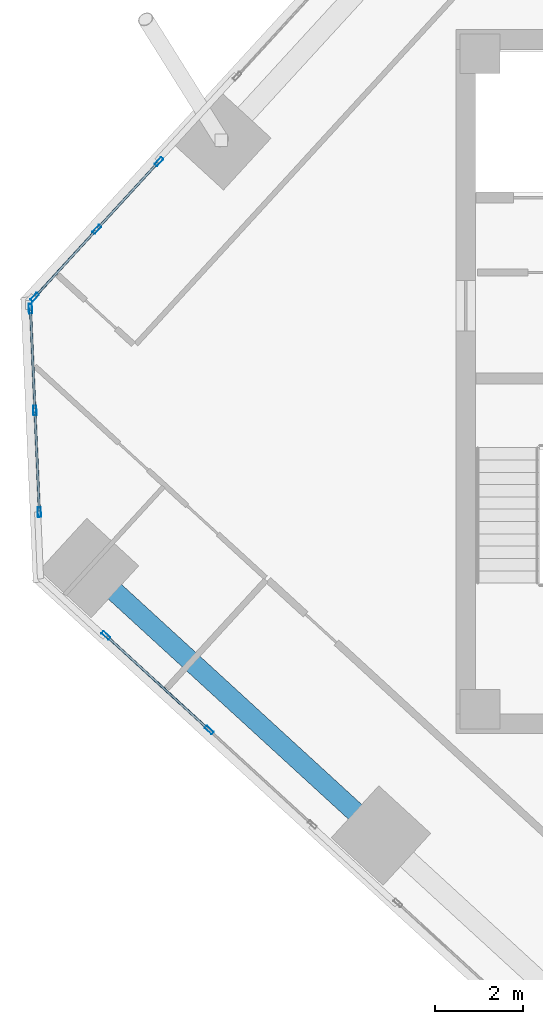
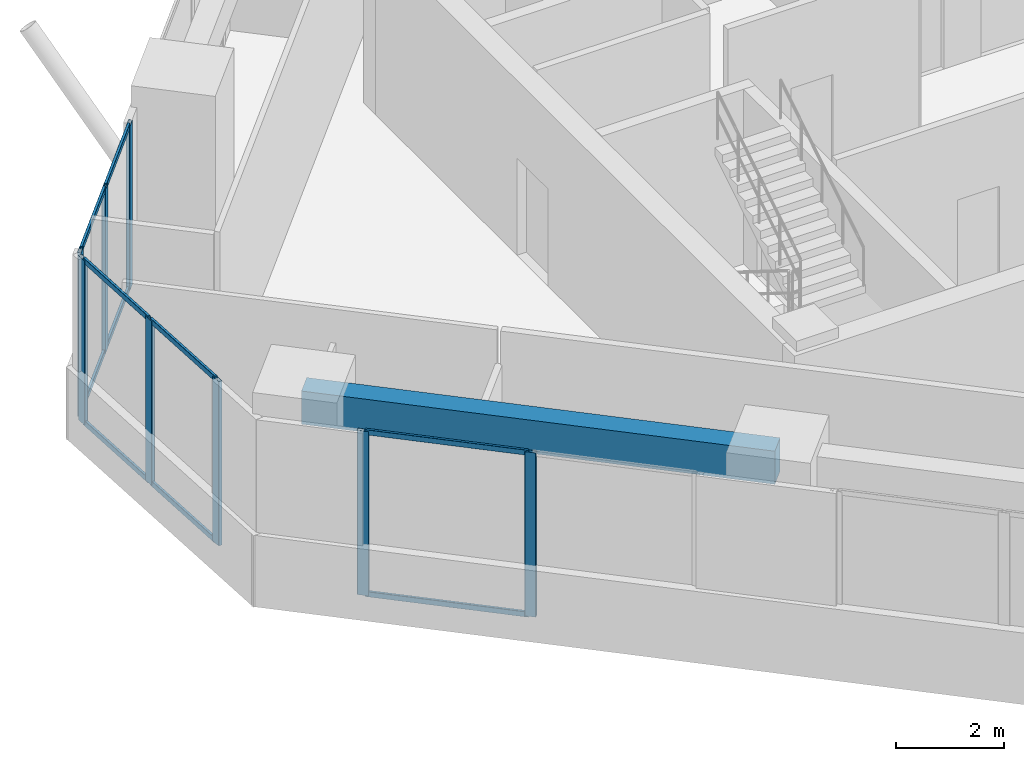
# One storey, part 4 of 18: 18 members, 1 beam, 3 elements without a shape of their own.
"""IFC4 building model written with IfcOpenShell, lengths in metres."""

from ifc_helpers import new_model, si_unit, direction, frame, origin, origin_2d, place, context, subcontext, project, spatial, rectangle, hollow_rectangle, extrude, source, transform, mapped, material, material_profile, profile_set, type_object, element, aggregate, save


model = new_model("IFC4")

# Units and contexts
model_context = context("Model", 3, precision=1e-05, world=origin(), true_north=direction((0.0, 1.0)))
body_context = subcontext(model_context, "Body", "Model", "MODEL_VIEW")
ifc_project = project(units=[si_unit("LENGTHUNIT", "METRE"), si_unit("AREAUNIT", "SQUARE_METRE"), si_unit("VOLUMEUNIT", "CUBIC_METRE"), si_unit("PLANEANGLEUNIT", "RADIAN"), si_unit("MASSUNIT", "GRAM", prefix="KILO")], contexts=[model_context])

# Site, building, storey
site_placement = place(None, origin())
site = spatial("IfcSite", under=ifc_project, at=site_placement, CompositionType="ELEMENT")
building_placement = place(site_placement, origin())
building = spatial("IfcBuilding", under=site, at=building_placement, Name="Torre Montelarca", CompositionType="ELEMENT")
storey_placement = place(building_placement, frame((0.0, 0.0, 237.39990234375)))
storey = spatial("IfcBuildingStorey", under=building, at=storey_placement, Name="L53", CompositionType="ELEMENT", Elevation=237.39990234375)

# Beam
ifc_material_1 = material(Name="Concrete C55/67", Category="concrete")
ifc_material_profile_1 = material_profile(ifc_material_1, rectangle(XDim=0.449951171875, YDim=0.75, at=origin_2d()), Name="RCB450X750", Category="concrete")
ifc_profile_set_1 = profile_set([ifc_material_profile_1], Name="Concrete C55/67")
beam_type = type_object("IfcBeamType", Name="BM-SP-RC750-EXT", PredefinedType="SPANDREL", material=ifc_profile_set_1)
shared_shape_1 = source(origin(), body_context, "Body", "SweptSolid", [
    extrude(rectangle(XDim=0.449951171875, YDim=0.75, at=origin_2d()), origin(), (0.0, 0.0, 1.0), 9.0),
])
beam_placement = place(storey_placement, frame((0.663818359375, 27.763671875, 3.585205078125), z_axis=(0.73727686361, -0.675590724023, 0.0), x_axis=(0.675590724023, 0.73727686361, 0.0)))
element("IfcBeam", 1, at=beam_placement, inside=storey, type_object=beam_type, Name="L53 Grid Girder X 9.0-18.0 at Y=14.8", PredefinedType="SPANDREL", context=body_context, shape_type="MappedRepresentation", body=[
    mapped(shared_shape_1, transform((0.0, 0.0, 0.0), scale=1.0)),
])

# Curtain wall, members
ifc_material_2 = material(Name="Insulated low-E laminated glass", Category="glass")
curtain_wall_type = type_object("IfcCurtainWallType", Name="CW-SYS-Z3", PredefinedType="USERDEFINED", material=ifc_material_2)
curtain_wall_1_placement = place(storey_placement, origin())
curtain_wall_1 = element("IfcCurtainWall", 2, at=curtain_wall_1_placement, inside=storey, type_object=curtain_wall_type, Name="L53 Curtain Wall Run CW-T3-L53-E01-B1", ObjectType="UNITISED GLAZING", PredefinedType="USERDEFINED")
ifc_material_3 = material(Name="Anodised aluminium AA 6063-T6", Category="aluminium")
ifc_material_profile_2 = material_profile(ifc_material_3, hollow_rectangle(XDim=0.054931640625, YDim=0.1201171875, WallThickness=0.00341796875, InnerFilletRadius=0.00341796875, OuterFilletRadius=0.007080078125, at=origin_2d()), Name="ALU55X120X3.5", Category="aluminium")
ifc_profile_set_2 = profile_set([ifc_material_profile_2], Name="Anodised aluminium AA 6063-T6")
member_type_1 = type_object("IfcMemberType", Name="CWT-ALU120", PredefinedType="USERDEFINED", material=ifc_profile_set_2)
shared_shape_2 = source(origin(), body_context, "Body", "SweptSolid", [
    extrude(hollow_rectangle(XDim=0.054931640625, YDim=0.1201171875, WallThickness=0.00341796875, InnerFilletRadius=0.00341796875, OuterFilletRadius=0.007080078125, at=origin_2d()), origin(), (0.0, 0.0, 1.0), 3.107421875),
])
member_1_placement = place(storey_placement, frame((1.0751953125, 26.206787109375, 0.027587890625), z_axis=(0.737271534665, -0.675596539491, 0.0), x_axis=(0.675596539491, 0.737271534665, 0.0)))
member_1 = element("IfcMember", 3, at=member_1_placement, type_object=member_type_1, Name="CW transom 1.1", ObjectType="TRANSOM", PredefinedType="USERDEFINED", context=body_context, shape_type="MappedRepresentation", body=[
    mapped(shared_shape_2, transform((0.0, 0.0, 0.0), scale=1.0)),
])
member_2_placement = place(storey_placement, frame((1.0751953125, 26.206787109375, 3.692626953125), z_axis=(0.737271534665, -0.675596539491, 0.0), x_axis=(0.675596539491, 0.737271534665, 0.0)))
member_2 = element("IfcMember", 4, at=member_2_placement, type_object=member_type_1, Name="CW transom 1.2", ObjectType="TRANSOM", PredefinedType="USERDEFINED", context=body_context, shape_type="MappedRepresentation", body=[
    mapped(shared_shape_2, transform((0.0, 0.0, 0.0), scale=1.0)),
])

curtain_wall_2_placement = place(storey_placement, origin())
curtain_wall_2 = element("IfcCurtainWall", 5, at=curtain_wall_2_placement, inside=storey, type_object=curtain_wall_type, Name="L53 Curtain Wall Run CW-T3-L53-E10-B3", ObjectType="UNITISED GLAZING", PredefinedType="USERDEFINED")
shared_shape_3 = source(origin(), body_context, "Body", "SweptSolid", [
    extrude(hollow_rectangle(XDim=0.054931640625, YDim=0.1201171875, WallThickness=0.00341796875, InnerFilletRadius=0.00341796875, OuterFilletRadius=0.007080078125, at=origin_2d()), origin(), (0.0, 0.0, 1.0), 2.014404296875),
])
member_3_placement = place(storey_placement, frame((2.225830078125, 36.972900390625, 0.027587890625), z_axis=(-0.675527037594, -0.737335216492, 0.0), x_axis=(0.737335216492, -0.675527037594, 0.0)))
member_3 = element("IfcMember", 6, at=member_3_placement, type_object=member_type_1, Name="CW transom 1.1", ObjectType="TRANSOM", PredefinedType="USERDEFINED", context=body_context, shape_type="MappedRepresentation", body=[
    mapped(shared_shape_3, transform((0.0, 0.0, 0.0), scale=1.0)),
])
member_4_placement = place(storey_placement, frame((2.225830078125, 36.972900390625, 3.692626953125), z_axis=(-0.675527037594, -0.737335216492, 0.0), x_axis=(0.737335216492, -0.675527037594, 0.0)))
member_4 = element("IfcMember", 7, at=member_4_placement, type_object=member_type_1, Name="CW transom 1.2", ObjectType="TRANSOM", PredefinedType="USERDEFINED", context=body_context, shape_type="MappedRepresentation", body=[
    mapped(shared_shape_3, transform((0.0, 0.0, 0.0), scale=1.0)),
])
shared_shape_4 = source(origin(), body_context, "Body", "SweptSolid", [
    extrude(hollow_rectangle(XDim=0.054931640625, YDim=0.1201171875, WallThickness=0.00341796875, InnerFilletRadius=0.00341796875, OuterFilletRadius=0.007080078125, at=origin_2d()), origin(), (0.0, 0.0, 1.0), 2.014892578125),
])
member_5_placement = place(storey_placement, frame((0.814208984375, 35.432373046875, 0.027587890625), z_axis=(-0.675532559778, -0.737330157175, 0.0), x_axis=(0.737330157175, -0.675532559778, 0.0)))
member_5 = element("IfcMember", 8, at=member_5_placement, type_object=member_type_1, Name="CW transom 2.1", ObjectType="TRANSOM", PredefinedType="USERDEFINED", context=body_context, shape_type="MappedRepresentation", body=[
    mapped(shared_shape_4, transform((0.0, 0.0, 0.0), scale=1.0)),
])
member_6_placement = place(storey_placement, frame((0.814208984375, 35.432373046875, 3.692626953125), z_axis=(-0.675532559778, -0.737330157175, 0.0), x_axis=(0.737330157175, -0.675532559778, 0.0)))
member_6 = element("IfcMember", 9, at=member_6_placement, type_object=member_type_1, Name="CW transom 2.2", ObjectType="TRANSOM", PredefinedType="USERDEFINED", context=body_context, shape_type="MappedRepresentation", body=[
    mapped(shared_shape_4, transform((0.0, 0.0, 0.0), scale=1.0)),
])

curtain_wall_3_placement = place(storey_placement, origin())
curtain_wall_3 = element("IfcCurtainWall", 10, at=curtain_wall_3_placement, inside=storey, type_object=curtain_wall_type, Name="L53 Curtain Wall Run CW-T3-L53-E11-B1", ObjectType="UNITISED GLAZING", PredefinedType="USERDEFINED")
shared_shape_5 = source(origin(), body_context, "Body", "SweptSolid", [
    extrude(hollow_rectangle(XDim=0.054931640625, YDim=0.1201171875, WallThickness=0.00341796875, InnerFilletRadius=0.00341796875, OuterFilletRadius=0.007080078125, at=origin_2d()), origin(), (0.0, 0.0, 1.0), 2.240478515625),
])
member_7_placement = place(storey_placement, frame((-0.6650390625, 33.622314453125, 0.027587890625), z_axis=(0.043588550065, -0.999049567491, 0.0), x_axis=(0.999049567491, 0.043588550065, 0.0)))
member_7 = element("IfcMember", 11, at=member_7_placement, type_object=member_type_1, Name="CW transom 1.1", ObjectType="TRANSOM", PredefinedType="USERDEFINED", context=body_context, shape_type="MappedRepresentation", body=[
    mapped(shared_shape_5, transform((0.0, 0.0, 0.0), scale=1.0)),
])
member_8_placement = place(storey_placement, frame((-0.6650390625, 33.622314453125, 3.692626953125), z_axis=(0.043588550065, -0.999049567491, 0.0), x_axis=(0.999049567491, 0.043588550065, 0.0)))
member_8 = element("IfcMember", 12, at=member_8_placement, type_object=member_type_1, Name="CW transom 1.2", ObjectType="TRANSOM", PredefinedType="USERDEFINED", context=body_context, shape_type="MappedRepresentation", body=[
    mapped(shared_shape_5, transform((0.0, 0.0, 0.0), scale=1.0)),
])
shared_shape_6 = source(origin(), body_context, "Body", "SweptSolid", [
    extrude(hollow_rectangle(XDim=0.054931640625, YDim=0.1201171875, WallThickness=0.00341796875, InnerFilletRadius=0.00341796875, OuterFilletRadius=0.007080078125, at=origin_2d()), origin(), (0.0, 0.0, 1.0), 2.24072265625),
])
member_9_placement = place(storey_placement, frame((-0.56396484375, 31.30908203125, 0.027587890625), z_axis=(0.043583805191, -0.999049774498, 0.0), x_axis=(0.999049774498, 0.043583805191, 0.0)))
member_9 = element("IfcMember", 13, at=member_9_placement, type_object=member_type_1, Name="CW transom 2.1", ObjectType="TRANSOM", PredefinedType="USERDEFINED", context=body_context, shape_type="MappedRepresentation", body=[
    mapped(shared_shape_6, transform((0.0, 0.0, 0.0), scale=1.0)),
])
member_10_placement = place(storey_placement, frame((-0.56396484375, 31.30908203125, 3.692626953125), z_axis=(0.043583805191, -0.999049774498, 0.0), x_axis=(0.999049774498, 0.043583805191, 0.0)))
member_10 = element("IfcMember", 14, at=member_10_placement, type_object=member_type_1, Name="CW transom 2.2", ObjectType="TRANSOM", PredefinedType="USERDEFINED", context=body_context, shape_type="MappedRepresentation", body=[
    mapped(shared_shape_6, transform((0.0, 0.0, 0.0), scale=1.0)),
])

# Member
ifc_material_profile_3 = material_profile(ifc_material_3, hollow_rectangle(XDim=0.074951171875, YDim=0.219970703125, WallThickness=0.0048828125, InnerFilletRadius=0.0048828125, OuterFilletRadius=0.010009765625, at=origin_2d()), Name="ALU75X220X5", Category="aluminium")
ifc_profile_set_3 = profile_set([ifc_material_profile_3], Name="Anodised aluminium AA 6063-T6")
member_type_2 = type_object("IfcMemberType", Name="CWM-ALU220", PredefinedType="MULLION", material=ifc_profile_set_3)
shared_shape_7 = source(origin(), body_context, "Body", "SweptSolid", [
    extrude(hollow_rectangle(XDim=0.074951171875, YDim=0.219970703125, WallThickness=0.0048828125, InnerFilletRadius=0.0048828125, OuterFilletRadius=0.010009765625, at=origin_2d()), origin(), (0.0, 0.0, 1.0), 3.72021484375),
])
member_11_placement = place(storey_placement, frame((1.04736328125, 26.232177734375, 0.0), z_axis=(0.0, 0.0, 1.0), x_axis=(0.675587502621, 0.737279815472, 0.0)))
member_11 = element("IfcMember", 15, at=member_11_placement, type_object=member_type_2, Name="CW mullion 1", PredefinedType="MULLION", context=body_context, shape_type="MappedRepresentation", body=[
    mapped(shared_shape_7, transform((0.0, 0.0, 0.0), scale=1.0)),
])

member_12_placement = place(storey_placement, frame((3.393798828125, 24.08203125, 0.0), z_axis=(0.0, 0.0, 1.0), x_axis=(0.675587502621, 0.737279815472, 0.0)))
member_12 = element("IfcMember", 16, at=member_12_placement, type_object=member_type_2, Name="CW mullion 2", PredefinedType="MULLION", context=body_context, shape_type="MappedRepresentation", body=[
    mapped(shared_shape_7, transform((0.0, 0.0, 0.0), scale=1.0)),
])

aggregate(curtain_wall_1, [member_11, member_12, member_1, member_2])

member_13_placement = place(storey_placement, frame((2.251220703125, 37.00048828125, 0.0), z_axis=(0.0, 0.0, 1.0), x_axis=(0.737284872213, -0.675581984074, 0.0)))
member_13 = element("IfcMember", 17, at=member_13_placement, type_object=member_type_2, Name="CW mullion 1", PredefinedType="MULLION", context=body_context, shape_type="MappedRepresentation", body=[
    mapped(shared_shape_7, transform((0.0, 0.0, 0.0), scale=1.0)),
])

member_14_placement = place(storey_placement, frame((0.839599609375, 35.4599609375, 0.0), z_axis=(0.0, 0.0, 1.0), x_axis=(0.737284872213, -0.675581984074, 0.0)))
member_14 = element("IfcMember", 18, at=member_14_placement, type_object=member_type_2, Name="CW mullion 2", PredefinedType="MULLION", context=body_context, shape_type="MappedRepresentation", body=[
    mapped(shared_shape_7, transform((0.0, 0.0, 0.0), scale=1.0)),
])

member_15_placement = place(storey_placement, frame((-0.572265625, 33.919189453125, 0.0), z_axis=(0.0, 0.0, 1.0), x_axis=(0.737284872213, -0.675581984074, 0.0)))
member_15 = element("IfcMember", 19, at=member_15_placement, type_object=member_type_2, Name="CW mullion 3", PredefinedType="MULLION", context=body_context, shape_type="MappedRepresentation", body=[
    mapped(shared_shape_7, transform((0.0, 0.0, 0.0), scale=1.0)),
])

aggregate(curtain_wall_2, [member_13, member_14, member_15, member_3, member_4, member_5, member_6])

member_16_placement = place(storey_placement, frame((-0.666748046875, 33.65966796875, 0.0), z_axis=(0.0, 0.0, 1.0), x_axis=(0.999047961569, 0.043625342235, 0.0)))
member_16 = element("IfcMember", 20, at=member_16_placement, type_object=member_type_2, Name="CW mullion 1", PredefinedType="MULLION", context=body_context, shape_type="MappedRepresentation", body=[
    mapped(shared_shape_7, transform((0.0, 0.0, 0.0), scale=1.0)),
])

member_17_placement = place(storey_placement, frame((-0.565673828125, 31.346435546875, 0.0), z_axis=(0.0, 0.0, 1.0), x_axis=(0.999047961569, 0.043625342235, 0.0)))
member_17 = element("IfcMember", 21, at=member_17_placement, type_object=member_type_2, Name="CW mullion 2", PredefinedType="MULLION", context=body_context, shape_type="MappedRepresentation", body=[
    mapped(shared_shape_7, transform((0.0, 0.0, 0.0), scale=1.0)),
])

member_18_placement = place(storey_placement, frame((-0.464599609375, 29.033203125, 0.0), z_axis=(0.0, 0.0, 1.0), x_axis=(0.999047961569, 0.043625342235, 0.0)))
member_18 = element("IfcMember", 22, at=member_18_placement, type_object=member_type_2, Name="CW mullion 3", PredefinedType="MULLION", context=body_context, shape_type="MappedRepresentation", body=[
    mapped(shared_shape_7, transform((0.0, 0.0, 0.0), scale=1.0)),
])

aggregate(curtain_wall_3, [member_16, member_17, member_18, member_7, member_8, member_9, member_10])

save(model, "model.ifc")
